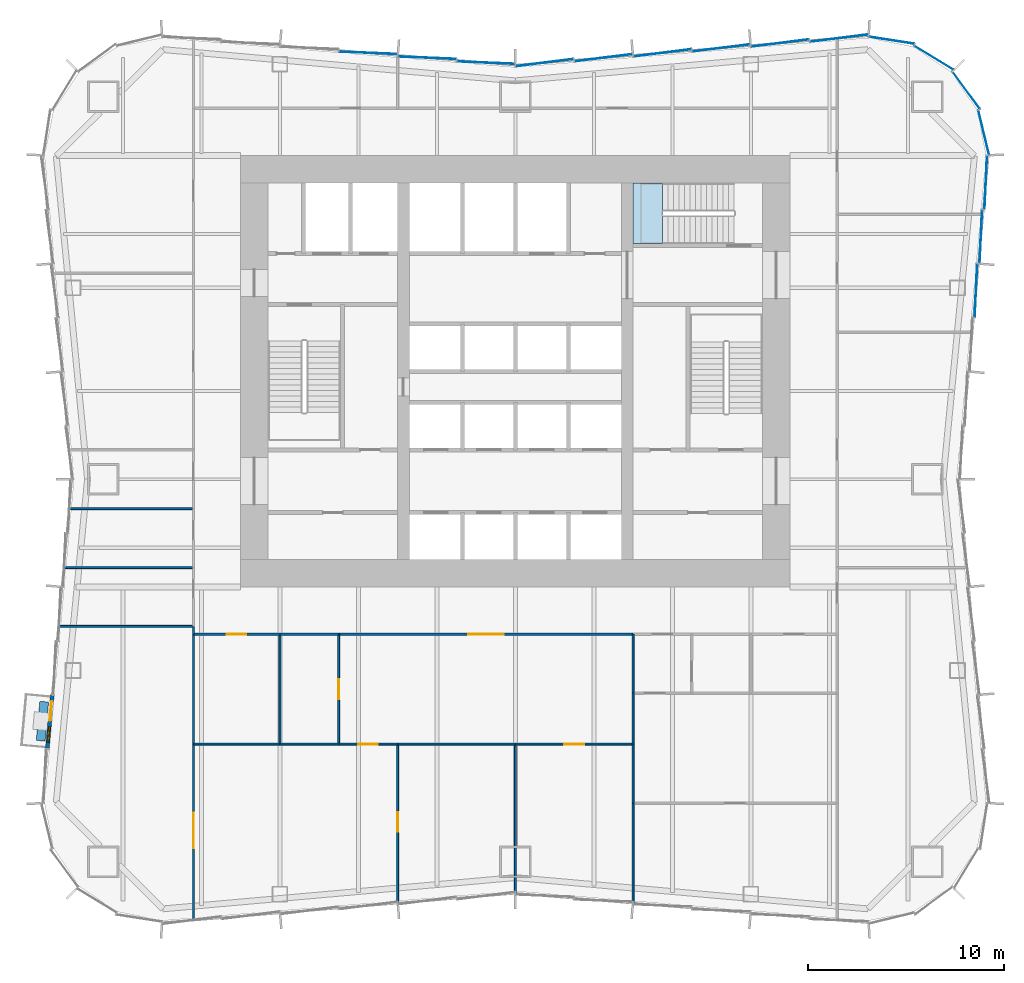
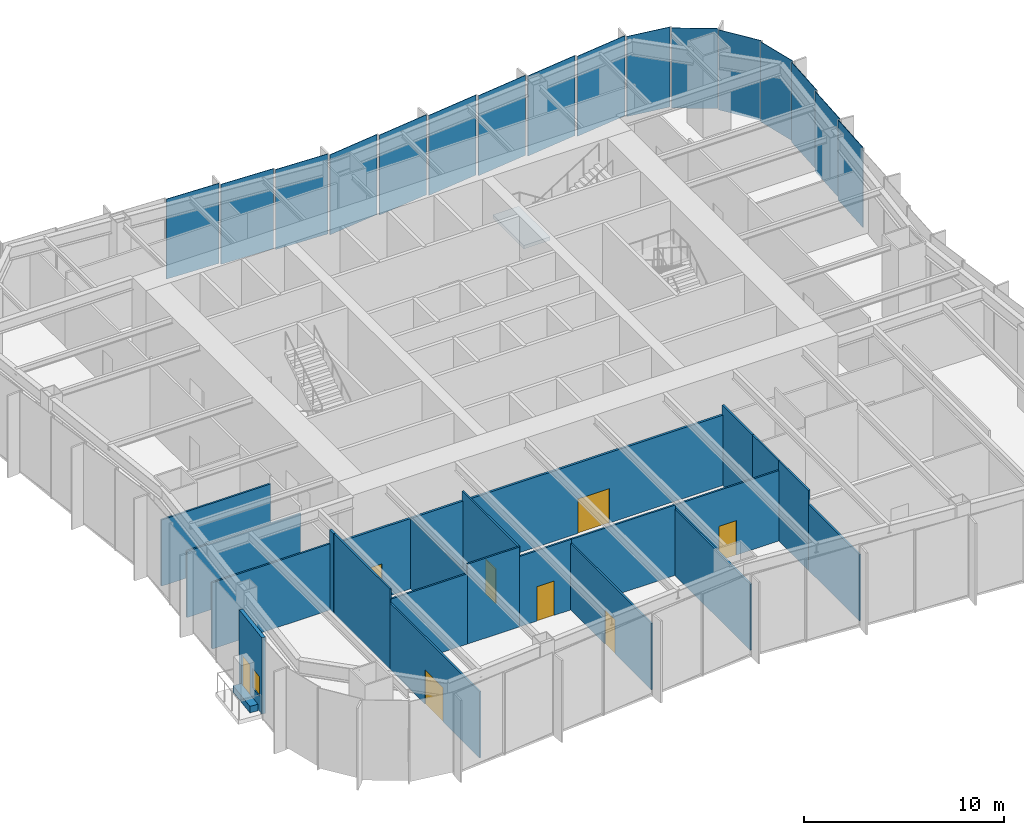
# One storey, part 9 of 14: 24 walls, 16 plates, 8 doors, 1 slab, 1 window, 9 openings, 4 elements without a shape of their own.
"""IFC4 building model written with IfcOpenShell, lengths in metres."""

from ifc_helpers import new_model, si_unit, direction, frame, frame_2d, origin, origin_2d, place, context, subcontext, project, spatial, polyline, rectangle, outline, extrude, material, layer, layer_set, type_object, element, fill, aggregate, save


model = new_model("IFC4")

# Units and contexts
model_context = context("Model", 3, precision=1e-05, world=origin(), true_north=direction((0.0, 1.0)))
body_context = subcontext(model_context, "Body", "Model", "MODEL_VIEW")
ifc_project = project(units=[si_unit("LENGTHUNIT", "METRE"), si_unit("AREAUNIT", "SQUARE_METRE"), si_unit("VOLUMEUNIT", "CUBIC_METRE"), si_unit("PLANEANGLEUNIT", "RADIAN"), si_unit("MASSUNIT", "GRAM", prefix="KILO")], contexts=[model_context])

# Site, building, storey
site_placement = place(None, origin())
site = spatial("IfcSite", under=ifc_project, at=site_placement, CompositionType="ELEMENT")
building_placement = place(site_placement, origin())
building = spatial("IfcBuilding", under=site, at=building_placement, Name="Verdant Reach Tower", CompositionType="ELEMENT")
storey_placement = place(building_placement, frame((0.0, 0.0, 9.0)))
storey = spatial("IfcBuildingStorey", under=building, at=storey_placement, Name="L01", CompositionType="ELEMENT", Elevation=9.0)

# Stair, slab
ifc_material_1 = material(Name="Concrete C40/50", Category="concrete")
stair_type = type_object("IfcStairType", Name="CO-STAIR", PredefinedType="HALF_TURN_STAIR", material=ifc_material_1)
stair_placement = place(storey_placement, origin())
stair = element("IfcStair", 1, at=stair_placement, inside=storey, type_object=stair_type, Name="L01 Exit stair 3", PredefinedType="HALF_TURN_STAIR")
ifc_layer_1 = layer(ifc_material_1, 0.199951171875)
ifc_layer_set_1 = layer_set([ifc_layer_1], Name="CO-STAIR-LANDING")
slab_type = type_object("IfcSlabType", Name="CO-STAIR-LANDING", PredefinedType="LANDING", material=ifc_layer_set_1)
slab_placement = place(storey_placement, frame((0.0, 0.0, 2.300048828125)))
slab = element("IfcSlab", 2, at=slab_placement, type_object=slab_type, Name="ST-3 landing 1", PredefinedType="LANDING", context=body_context, shape_type="SweptSolid", body=[
    extrude(outline(polyline([(7.510009765625, 37.60009765625), (6.0, 37.60009765625), (6.0, 34.5), (7.510009765625, 34.5), (7.510009765625, 37.60009765625)])), origin(), (0.0, 0.0, 1.0), 0.199951171875),
])
aggregate(stair, [slab])

# Curtain wall, plates
ifc_material_2 = material(Name="Anodised aluminium", Category="aluminium")
curtain_wall_type = type_object("IfcCurtainWallType", Name="EN-CW SYSTEM Z0", PredefinedType="NOTDEFINED", material=ifc_material_2)
curtain_wall_1_placement = place(storey_placement, origin())
curtain_wall_1 = element("IfcCurtainWall", 3, at=curtain_wall_1_placement, inside=storey, type_object=curtain_wall_type, Name="Curtain wall east, L01", PredefinedType="NOTDEFINED")
ifc_material_3 = material(Name="Tinted glass with champagne spandrel", Category="glass")
ifc_layer_2 = layer(ifc_material_3, 0.031982421875)
ifc_layer_set_2 = layer_set([ifc_layer_2], Name="EN-PANEL CHAMPAGNE")
plate_type_1 = type_object("IfcPlateType", Name="EN-PANEL CHAMPAGNE", PredefinedType="CURTAIN_PANEL", material=ifc_layer_set_2)
plate_1_placement = place(storey_placement, frame((23.474609375, 32.115966796875, -0.22998046875), z_axis=(0.0, 0.0, 1.0), x_axis=(0.04875265175, 0.998810882473, 0.0)))
plate_1 = element("IfcPlate", 4, at=plate_1_placement, type_object=plate_type_1, Name="Glass panel east face part 2 4.1, L01", PredefinedType="CURTAIN_PANEL", context=body_context, shape_type="SweptSolid", body=[
    extrude(rectangle(XDim=2.705322265625, YDim=0.031982421875, at=origin_2d()), origin(), (0.0, 0.0, 1.0), 4.8798828125),
])
plate_2_placement = place(storey_placement, frame((23.724609375, 34.865966796875, -0.22998046875), z_axis=(0.0, 0.0, 1.0), x_axis=(0.04875265175, 0.998810882473, 0.0)))
plate_2 = element("IfcPlate", 5, at=plate_2_placement, type_object=plate_type_1, Name="Glass panel east face part 2 5.1, L01", PredefinedType="CURTAIN_PANEL", context=body_context, shape_type="SweptSolid", body=[
    extrude(rectangle(XDim=2.705322265625, YDim=0.031982421875, at=origin_2d()), origin(), (0.0, 0.0, 1.0), 4.8798828125),
])

curtain_wall_2_placement = place(storey_placement, origin())
curtain_wall_2 = element("IfcCurtainWall", 6, at=curtain_wall_2_placement, inside=storey, type_object=curtain_wall_type, Name="Curtain wall north-east corner, L01", PredefinedType="NOTDEFINED")
plate_3_placement = place(storey_placement, frame((22.974609375, 42.32373046875, -0.22998046875), z_axis=(0.0, 0.0, 1.0), x_axis=(-0.589926778461, 0.807456745624, 0.0)))
plate_3 = element("IfcPlate", 7, at=plate_3_placement, type_object=plate_type_1, Name="Glass panel north-east corner 2.1, L01", PredefinedType="CURTAIN_PANEL", context=body_context, shape_type="SweptSolid", body=[
    extrude(rectangle(XDim=2.32421875, YDim=0.031982421875, at=origin_2d()), origin(), (0.0, 0.0, 1.0), 4.8798828125),
])
plate_4_placement = place(storey_placement, frame((21.32373046875, 43.974609375, -0.22998046875), z_axis=(0.0, 0.0, 1.0), x_axis=(-0.853988681713, 0.520291583159, 0.0)))
plate_4 = element("IfcPlate", 8, at=plate_4_placement, type_object=plate_type_1, Name="Glass panel north-east corner 3.1, L01", PredefinedType="CURTAIN_PANEL", context=body_context, shape_type="SweptSolid", body=[
    extrude(rectangle(XDim=2.32421875, YDim=0.031982421875, at=origin_2d()), origin(), (0.0, 0.0, 1.0), 4.8798828125),
])

curtain_wall_3_placement = place(storey_placement, origin())
curtain_wall_3 = element("IfcCurtainWall", 9, at=curtain_wall_3_placement, inside=storey, type_object=curtain_wall_type, Name="Curtain wall north, L01", PredefinedType="NOTDEFINED")
plate_5_placement = place(storey_placement, frame((16.498779296875, 44.974853515625, -0.22998046875), z_axis=(0.0, 0.0, 1.0), x_axis=(-0.992234176789, -0.124383835008, 0.0)))
plate_5 = element("IfcPlate", 10, at=plate_5_placement, type_object=plate_type_1, Name="Glass panel north face part 1 1.1, L01", PredefinedType="CURTAIN_PANEL", context=body_context, shape_type="SweptSolid", body=[
    extrude(rectangle(XDim=2.96826171875, YDim=0.031982421875, at=origin_2d()), origin(), (0.0, 0.0, 1.0), 4.8798828125),
])
plate_6_placement = place(storey_placement, frame((13.49169921875, 44.724609375, -0.22998046875), z_axis=(0.0, 0.0, 1.0), x_axis=(-0.992194034542, -0.124703639961, 0.0)))
plate_6 = element("IfcPlate", 11, at=plate_6_placement, type_object=plate_type_1, Name="Glass panel north face part 1 2.1, L01", PredefinedType="CURTAIN_PANEL", context=body_context, shape_type="SweptSolid", body=[
    extrude(rectangle(XDim=2.954345703125, YDim=0.031982421875, at=origin_2d()), origin(), (0.0, 0.0, 1.0), 4.8798828125),
])
plate_7_placement = place(storey_placement, frame((-4.49169921875, 43.974609375, -0.22998046875), z_axis=(0.0, 0.0, 1.0), x_axis=(-0.999149202059, 0.041241629766, 0.0)))
plate_7 = element("IfcPlate", 12, at=plate_7_placement, type_object=plate_type_1, Name="Glass panel north face part 2 2.1, L01", PredefinedType="CURTAIN_PANEL", context=body_context, shape_type="SweptSolid", body=[
    extrude(rectangle(XDim=2.954345703125, YDim=0.031982421875, at=origin_2d()), origin(), (0.0, 0.0, 1.0), 4.8798828125),
])
plate_8_placement = place(storey_placement, frame((-7.49169921875, 44.224609375, -0.22998046875), z_axis=(0.0, 0.0, 1.0), x_axis=(-0.999149202059, 0.041241629766, 0.0)))
plate_8 = element("IfcPlate", 13, at=plate_8_placement, type_object=plate_type_1, Name="Glass panel north face part 2 3.1, L01", PredefinedType="CURTAIN_PANEL", context=body_context, shape_type="SweptSolid", body=[
    extrude(rectangle(XDim=2.954345703125, YDim=0.031982421875, at=origin_2d()), origin(), (0.0, 0.0, 1.0), 4.8798828125),
])

# Plate
ifc_material_4 = material(Name="Tinted glass with copper spandrel", Category="glass")
ifc_layer_3 = layer(ifc_material_4, 0.031982421875)
ifc_layer_set_3 = layer_set([ifc_layer_3], Name="EN-PANEL COPPER")
plate_type_2 = type_object("IfcPlateType", Name="EN-PANEL COPPER", PredefinedType="CURTAIN_PANEL", material=ifc_layer_set_3)
plate_9_placement = place(storey_placement, frame((23.974609375, 37.623046875, -0.22998046875), z_axis=(0.0, 0.0, 1.0), x_axis=(0.048382779248, 0.998828867561, 0.0)))
plate_9 = element("IfcPlate", 14, at=plate_9_placement, type_object=plate_type_2, Name="Glass panel east face part 2 6.1, L01", PredefinedType="CURTAIN_PANEL", context=body_context, shape_type="SweptSolid", body=[
    extrude(rectangle(XDim=2.7197265625, YDim=0.031982421875, at=origin_2d()), origin(), (0.0, 0.0, 1.0), 4.8798828125),
])

aggregate(curtain_wall_1, [plate_1, plate_2, plate_9])

plate_10_placement = place(storey_placement, frame((19.169921875, 44.86767578125, -0.22998046875), z_axis=(0.0, 0.0, 1.0), x_axis=(-0.98803452381, 0.154232875093, 0.0)))
plate_10 = element("IfcPlate", 15, at=plate_10_placement, type_object=plate_type_2, Name="Glass panel north-east corner 4.1, L01", PredefinedType="CURTAIN_PANEL", context=body_context, shape_type="SweptSolid", body=[
    extrude(rectangle(XDim=2.318603515625, YDim=0.031982421875, at=origin_2d()), origin(), (0.0, 0.0, 1.0), 4.8798828125),
])

plate_11_placement = place(storey_placement, frame((10.49169921875, 44.474609375, -0.22998046875), z_axis=(0.0, 0.0, 1.0), x_axis=(-0.992194034542, -0.124703639961, 0.0)))
plate_11 = element("IfcPlate", 16, at=plate_11_placement, type_object=plate_type_2, Name="Glass panel north face part 1 3.1, L01", PredefinedType="CURTAIN_PANEL", context=body_context, shape_type="SweptSolid", body=[
    extrude(rectangle(XDim=2.954345703125, YDim=0.031982421875, at=origin_2d()), origin(), (0.0, 0.0, 1.0), 4.8798828125),
])

plate_12_placement = place(storey_placement, frame((7.49169921875, 44.224609375, -0.22998046875), z_axis=(0.0, 0.0, 1.0), x_axis=(-0.992194034542, -0.124703639961, 0.0)))
plate_12 = element("IfcPlate", 17, at=plate_12_placement, type_object=plate_type_2, Name="Glass panel north face part 1 4.1, L01", PredefinedType="CURTAIN_PANEL", context=body_context, shape_type="SweptSolid", body=[
    extrude(rectangle(XDim=2.954345703125, YDim=0.031982421875, at=origin_2d()), origin(), (0.0, 0.0, 1.0), 4.8798828125),
])

ifc_material_5 = material(Name="Tinted glass with dark bronze spandrel", Category="glass")
ifc_layer_4 = layer(ifc_material_5, 0.031982421875)
ifc_layer_set_4 = layer_set([ifc_layer_4], Name="EN-PANEL DARK")
plate_type_3 = type_object("IfcPlateType", Name="EN-PANEL DARK", PredefinedType="CURTAIN_PANEL", material=ifc_layer_set_4)
plate_13_placement = place(storey_placement, frame((23.86767578125, 40.169921875, -0.22998046875), z_axis=(0.0, 0.0, 1.0), x_axis=(-0.236346786246, 0.97166876899, 0.0)))
plate_13 = element("IfcPlate", 18, at=plate_13_placement, type_object=plate_type_3, Name="Glass panel north-east corner 1.1, L01", PredefinedType="CURTAIN_PANEL", context=body_context, shape_type="SweptSolid", body=[
    extrude(rectangle(XDim=2.31884765625, YDim=0.031982421875, at=origin_2d()), origin(), (0.0, 0.0, 1.0), 4.8798828125),
])

aggregate(curtain_wall_2, [plate_13, plate_3, plate_4, plate_10])

plate_14_placement = place(storey_placement, frame((4.49169921875, 43.974609375, -0.22998046875), z_axis=(0.0, 0.0, 1.0), x_axis=(-0.992194034542, -0.124703639961, 0.0)))
plate_14 = element("IfcPlate", 19, at=plate_14_placement, type_object=plate_type_3, Name="Glass panel north face part 1 5.1, L01", PredefinedType="CURTAIN_PANEL", context=body_context, shape_type="SweptSolid", body=[
    extrude(rectangle(XDim=2.954345703125, YDim=0.031982421875, at=origin_2d()), origin(), (0.0, 0.0, 1.0), 4.8798828125),
])

plate_15_placement = place(storey_placement, frame((1.495849609375, 43.724853515625, -0.22998046875), z_axis=(0.0, 0.0, 1.0), x_axis=(-0.992179679439, -0.124817802047, 0.0)))
plate_15 = element("IfcPlate", 20, at=plate_15_placement, type_object=plate_type_3, Name="Glass panel north face part 1 6.1, L01", PredefinedType="CURTAIN_PANEL", context=body_context, shape_type="SweptSolid", body=[
    extrude(rectangle(XDim=2.946044921875, YDim=0.031982421875, at=origin_2d()), origin(), (0.0, 0.0, 1.0), 4.8798828125),
])

plate_16_placement = place(storey_placement, frame((-1.495849609375, 43.724853515625, -0.22998046875), z_axis=(0.0, 0.0, 1.0), x_axis=(-0.999144450138, 0.041356592674, 0.0)))
plate_16 = element("IfcPlate", 21, at=plate_16_placement, type_object=plate_type_3, Name="Glass panel north face part 2 1.1, L01", PredefinedType="CURTAIN_PANEL", context=body_context, shape_type="SweptSolid", body=[
    extrude(rectangle(XDim=2.946044921875, YDim=0.031982421875, at=origin_2d()), origin(), (0.0, 0.0, 1.0), 4.8798828125),
])

aggregate(curtain_wall_3, [plate_5, plate_6, plate_11, plate_12, plate_14, plate_15, plate_16, plate_7, plate_8])

# Wall, openings, door, window
ifc_material_6 = material(Name="Insulated bronze aluminium panel wall", Category="aluminium")
ifc_layer_5 = layer(ifc_material_6, 0.219970703125)
ifc_layer_set_5 = layer_set([ifc_layer_5], Name="EN-INFILL WALL")
wall_type_1 = type_object("IfcWallType", Name="EN-INFILL WALL", PredefinedType="SOLIDWALL", material=ifc_layer_set_5)
wall_1_placement = place(storey_placement, frame((-23.602294921875, 11.479248046875, 0.0), z_axis=(0.0, 0.0, 1.0), x_axis=(-0.090552042494, -0.995891724838, 0.0)))
wall_1 = element("IfcWall", 22, at=wall_1_placement, inside=storey, type_object=wall_type_1, Name="External infill wall, balcony bay 1, L01", PredefinedType="SOLIDWALL", context=body_context, shape_type="SweptSolid", body=[
    extrude(rectangle(XDim=2.701416015625, YDim=0.199951171875, at=frame_2d((1.3505859375, 0.0))), origin(), (0.0, 0.0, 1.0), 4.64990234375),
])
opening_1_placement = place(wall_1_placement, frame((0.30029296875, 0.0, 0.0)))
opening_1 = element("IfcOpeningElement", 23, at=opening_1_placement, cuts=wall_1, Name="Opening BD1", PredefinedType="OPENING", context=body_context, shape_type="SweptSolid", body=[
    extrude(rectangle(XDim=1.0, YDim=2.10009765625, at=frame_2d((0.5, 1.050048828125))), frame((0.0, 0.10986328125, 0.0), z_axis=(0.0, -1.0, 0.0), x_axis=(1.0, 0.0, 0.0)), (0.0, 0.0, 1.0), 0.219970703125),
])
opening_2_placement = place(wall_1_placement, frame((1.600830078125, 0.0, 0.89990234375)))
opening_2 = element("IfcOpeningElement", 24, at=opening_2_placement, cuts=wall_1, Name="Opening BW1", PredefinedType="OPENING", context=body_context, shape_type="SweptSolid", body=[
    extrude(rectangle(XDim=0.800048828125, YDim=1.199951171875, at=frame_2d((0.39990234375, 0.60009765625))), frame((0.0, 0.10986328125, 0.0), z_axis=(0.0, -1.0, 0.0), x_axis=(1.0, 0.0, 0.0)), (0.0, 0.0, 1.0), 0.219970703125),
])
ifc_material_7 = material(Name="Aluminium framed glazed door", Category="aluminium")
door_type_1 = type_object("IfcDoorType", Name="EN-DOOR BALCONY", OperationType="NOTDEFINED", PredefinedType="DOOR", material=ifc_material_7)
door_1_placement = place(opening_1_placement, origin())
door_1 = element("IfcDoor", 25, at=door_1_placement, inside=storey, type_object=door_type_1, Name="Balcony door 1, L01", OperationType="SINGLE_SWING_LEFT", OverallHeight=2.10009765625, OverallWidth=1.0, PredefinedType="DOOR", context=body_context, shape_type="SweptSolid", body=[
    extrude(rectangle(XDim=1.0, YDim=2.10009765625, at=frame_2d((0.5, 1.050048828125))), frame((0.0, 0.02490234375, 0.0), z_axis=(0.0, -1.0, 0.0), x_axis=(1.0, 0.0, 0.0)), (0.0, 0.0, 1.0), 0.050048828125),
])
fill(opening_1, door_1)
ifc_material_8 = material(Name="Aluminium framed glazing", Category="aluminium")
window_type = type_object("IfcWindowType", Name="EN-WINDOW BALCONY", PartitioningType="SINGLE_PANEL", PredefinedType="WINDOW", material=ifc_material_8)
window_placement = place(opening_2_placement, origin())
window = element("IfcWindow", 26, at=window_placement, inside=storey, type_object=window_type, Name="Balcony window 1, L01", OverallHeight=1.199951171875, OverallWidth=0.800048828125, PartitioningType="SINGLE_PANEL", PredefinedType="WINDOW", context=body_context, shape_type="SweptSolid", body=[
    extrude(rectangle(XDim=0.800048828125, YDim=1.199951171875, at=frame_2d((0.39990234375, 0.60009765625))), frame((0.0, 0.030029296875, 0.0), z_axis=(0.0, -1.0, 0.0), x_axis=(1.0, 0.0, 0.0)), (0.0, 0.0, 1.0), 0.06005859375),
])
fill(opening_2, window)

# Walls
ifc_material_9 = material(Name="Precast concrete C30/37", Category="concrete")
ifc_layer_6 = layer(ifc_material_9, 0.449951171875)
ifc_layer_set_6 = layer_set([ifc_layer_6], Name="EN-PLANTER")
wall_type_2 = type_object("IfcWallType", Name="EN-PLANTER", PredefinedType="USERDEFINED", material=ifc_layer_set_6)
wall_2_placement = place(storey_placement, frame((-24.007568359375, 11.16455078125, 0.0), z_axis=(0.0, 0.0, 1.0), x_axis=(-0.090513748512, -0.995895205998, 0.0)))
element("IfcWall", 27, at=wall_2_placement, inside=storey, type_object=wall_type_2, Name="Balcony planter 1, L01", ObjectType="PLANTER", PredefinedType="USERDEFINED", context=body_context, shape_type="SweptSolid", body=[
    extrude(rectangle(XDim=2.00146484375, YDim=0.449951171875, at=frame_2d((1.000732421875, 0.0))), origin(), (0.0, 0.0, 1.0), 0.39990234375),
])
ifc_material_10 = material(Name="Gypsum board on steel studs", Category="steel")
ifc_layer_7 = layer(ifc_material_10, 0.10009765625)
ifc_layer_set_7 = layer_set([ifc_layer_7], Name="FL-W1 Partition 100")
wall_type_3 = type_object("IfcWallType", Name="FL-W1 Partition 100", PredefinedType="PARTITIONING", material=ifc_layer_set_7)
wall_3_placement = place(storey_placement, frame((-12.0, 9.0, 0.0), z_axis=(0.0, 0.0, 1.0), x_axis=(0.0, 1.0, 0.0)))
element("IfcWall", 28, at=wall_3_placement, inside=storey, type_object=wall_type_3, Name="Partition 01.19", PredefinedType="PARTITIONING", context=body_context, shape_type="SweptSolid", body=[
    extrude(rectangle(XDim=5.60009765625, YDim=0.10009765625, at=frame_2d((2.800048828125, 0.0))), origin(), (0.0, 0.0, 1.0), 4.2900390625),
])
wall_4_placement = place(storey_placement, frame((-16.39990234375, 9.0, 0.0), z_axis=(0.0, 0.0, 1.0), x_axis=(1.0, 0.0, 0.0)))
element("IfcWall", 29, at=wall_4_placement, inside=storey, type_object=wall_type_3, Name="Partition 01.20", PredefinedType="PARTITIONING", context=body_context, shape_type="SweptSolid", body=[
    extrude(rectangle(XDim=4.40380859375, YDim=0.10009765625, at=frame_2d((2.201904296875, 0.0))), origin(), (0.0, 0.0, 1.0), 4.2900390625),
])
wall_5_placement = place(storey_placement, frame((-16.39990234375, 14.60400390625, 0.0), z_axis=(0.0, 0.0, 1.0), x_axis=(0.0, -1.0, 0.0)))
element("IfcWall", 30, at=wall_5_placement, inside=storey, type_object=wall_type_3, Name="Partition 01.21", PredefinedType="PARTITIONING", context=body_context, shape_type="SweptSolid", body=[
    extrude(rectangle(XDim=5.60791015625, YDim=0.10009765625, at=frame_2d((2.803955078125, 0.0))), origin(), (0.0, 0.0, 1.0), 4.8701171875),
])

# Wall, opening, door
wall_6_placement = place(storey_placement, frame((-9.0, 9.0, 0.0), z_axis=(0.0, 0.0, 1.0), x_axis=(0.0, 1.0, 0.0)))
wall_6 = element("IfcWall", 31, at=wall_6_placement, inside=storey, type_object=wall_type_3, Name="Partition 01.22", PredefinedType="PARTITIONING", context=body_context, shape_type="SweptSolid", body=[
    extrude(rectangle(XDim=5.60009765625, YDim=0.10009765625, at=frame_2d((2.800048828125, 0.0))), origin(), (0.0, 0.0, 1.0), 4.8701171875),
])
opening_3_placement = place(wall_6_placement, frame((2.300048828125, 0.0, 0.0)))
opening_3 = element("IfcOpeningElement", 32, at=opening_3_placement, cuts=wall_6, Name="Opening D3", PredefinedType="OPENING", context=body_context, shape_type="SweptSolid", body=[
    extrude(rectangle(XDim=1.0, YDim=2.10009765625, at=frame_2d((0.5, 1.050048828125))), frame((0.0, 0.06005859375, 0.0), z_axis=(0.0, -1.0, 0.0), x_axis=(1.0, 0.0, 0.0)), (0.0, 0.0, 1.0), 0.1201171875),
])
ifc_material_11 = material(Name="Painted timber door leaf", Category="wood")
door_type_2 = type_object("IfcDoorType", Name="FL-D3 Door 1000x2100", OperationType="NOTDEFINED", PredefinedType="DOOR", material=ifc_material_11)
door_2_placement = place(opening_3_placement, origin())
door_2 = element("IfcDoor", 33, at=door_2_placement, inside=storey, type_object=door_type_2, Name="Door 01-016", OperationType="SINGLE_SWING_RIGHT", OverallHeight=2.10009765625, OverallWidth=1.0, PredefinedType="DOOR", context=body_context, shape_type="SweptSolid", body=[
    extrude(rectangle(XDim=1.0, YDim=2.10009765625, at=frame_2d((0.5, 1.050048828125))), frame((0.0, 0.02490234375, 0.0), z_axis=(0.0, -1.0, 0.0), x_axis=(1.0, 0.0, 0.0)), (0.0, 0.0, 1.0), 0.050048828125),
])
fill(opening_3, door_2)

# Wall
wall_7_placement = place(storey_placement, frame((-12.00390625, 9.0, 0.0), z_axis=(0.0, 0.0, 1.0), x_axis=(1.0, 0.0, 0.0)))
element("IfcWall", 34, at=wall_7_placement, inside=storey, type_object=wall_type_3, Name="Partition 01.23", PredefinedType="PARTITIONING", context=body_context, shape_type="SweptSolid", body=[
    extrude(rectangle(XDim=3.0078125, YDim=0.10009765625, at=frame_2d((1.50390625, 0.0))), origin(), (0.0, 0.0, 1.0), 4.8701171875),
])

# Wall, opening, door
wall_8_placement = place(storey_placement, frame((-6.0, 9.0, 0.0), z_axis=(0.0, 0.0, 1.0), x_axis=(-1.0, 0.0, 0.0)))
wall_8 = element("IfcWall", 35, at=wall_8_placement, inside=storey, type_object=wall_type_3, Name="Partition 01.24", PredefinedType="PARTITIONING", context=body_context, shape_type="SweptSolid", body=[
    extrude(rectangle(XDim=3.00390625, YDim=0.10009765625, at=frame_2d((1.501953125, 0.0))), origin(), (0.0, 0.0, 1.0), 4.2900390625),
])
opening_4_placement = place(wall_8_placement, frame((1.001953125, 0.0, 0.0)))
opening_4 = element("IfcOpeningElement", 36, at=opening_4_placement, cuts=wall_8, Name="Opening D3", PredefinedType="OPENING", context=body_context, shape_type="SweptSolid", body=[
    extrude(rectangle(XDim=1.0, YDim=2.10009765625, at=frame_2d((0.5, 1.050048828125))), frame((0.0, 0.06005859375, 0.0), z_axis=(0.0, -1.0, 0.0), x_axis=(1.0, 0.0, 0.0)), (0.0, 0.0, 1.0), 0.1201171875),
])
door_3_placement = place(opening_4_placement, origin())
door_3 = element("IfcDoor", 37, at=door_3_placement, inside=storey, type_object=door_type_2, Name="Door 01-017", OperationType="SINGLE_SWING_LEFT", OverallHeight=2.10009765625, OverallWidth=1.0, PredefinedType="DOOR", context=body_context, shape_type="SweptSolid", body=[
    extrude(rectangle(XDim=1.0, YDim=2.10009765625, at=frame_2d((0.5, 1.050048828125))), frame((0.0, 0.02490234375, 0.0), z_axis=(0.0, -1.0, 0.0), x_axis=(1.0, 0.0, 0.0)), (0.0, 0.0, 1.0), 0.050048828125),
])
fill(opening_4, door_3)

# Wall
wall_9_placement = place(storey_placement, frame((-6.0, 9.0, 0.0), z_axis=(0.0, 0.0, 1.0), x_axis=(1.0, 0.0, 0.0)))
element("IfcWall", 38, at=wall_9_placement, inside=storey, type_object=wall_type_3, Name="Partition 01.25", PredefinedType="PARTITIONING", context=body_context, shape_type="SweptSolid", body=[
    extrude(rectangle(XDim=6.0, YDim=0.10009765625, at=frame_2d((3.0, 0.0))), origin(), (0.0, 0.0, 1.0), 4.2900390625),
])

# Wall, opening, door
wall_10_placement = place(storey_placement, frame((6.0, 9.0, 0.0), z_axis=(0.0, 0.0, 1.0), x_axis=(-1.0, 0.0, 0.0)))
wall_10 = element("IfcWall", 39, at=wall_10_placement, inside=storey, type_object=wall_type_3, Name="Partition 01.26", PredefinedType="PARTITIONING", context=body_context, shape_type="SweptSolid", body=[
    extrude(rectangle(XDim=6.0, YDim=0.10009765625, at=frame_2d((3.0, 0.0))), origin(), (0.0, 0.0, 1.0), 4.2900390625),
])
opening_5_placement = place(wall_10_placement, frame((2.5, 0.0, 0.0)))
opening_5 = element("IfcOpeningElement", 40, at=opening_5_placement, cuts=wall_10, Name="Opening D3", PredefinedType="OPENING", context=body_context, shape_type="SweptSolid", body=[
    extrude(rectangle(XDim=1.0, YDim=2.10009765625, at=frame_2d((0.5, 1.050048828125))), frame((0.0, 0.06005859375, 0.0), z_axis=(0.0, -1.0, 0.0), x_axis=(1.0, 0.0, 0.0)), (0.0, 0.0, 1.0), 0.1201171875),
])
door_4_placement = place(opening_5_placement, origin())
door_4 = element("IfcDoor", 41, at=door_4_placement, inside=storey, type_object=door_type_2, Name="Door 01-018", OperationType="SINGLE_SWING_RIGHT", OverallHeight=2.10009765625, OverallWidth=1.0, PredefinedType="DOOR", context=body_context, shape_type="SweptSolid", body=[
    extrude(rectangle(XDim=1.0, YDim=2.10009765625, at=frame_2d((0.5, 1.050048828125))), frame((0.0, 0.02490234375, 0.0), z_axis=(0.0, -1.0, 0.0), x_axis=(1.0, 0.0, 0.0)), (0.0, 0.0, 1.0), 0.050048828125),
])
fill(opening_5, door_4)

# Walls
wall_11_placement = place(storey_placement, frame((6.0, 11.60009765625, 0.0), z_axis=(0.0, 0.0, 1.0), x_axis=(0.0, 1.0, 0.0)))
element("IfcWall", 42, at=wall_11_placement, inside=storey, type_object=wall_type_3, Name="Partition 01.27", PredefinedType="PARTITIONING", context=body_context, shape_type="SweptSolid", body=[
    extrude(rectangle(XDim=3.0, YDim=0.10009765625, at=frame_2d((1.5, 0.0))), origin(), (0.0, 0.0, 1.0), 4.8701171875),
])
wall_12_placement = place(storey_placement, frame((6.0, 8.99609375, 0.0), z_axis=(0.0, 0.0, 1.0), x_axis=(0.0, 1.0, 0.0)))
element("IfcWall", 43, at=wall_12_placement, inside=storey, type_object=wall_type_3, Name="Partition 01.28", PredefinedType="PARTITIONING", context=body_context, shape_type="SweptSolid", body=[
    extrude(rectangle(XDim=2.60400390625, YDim=0.10009765625, at=frame_2d((1.302001953125, 0.0))), origin(), (0.0, 0.0, 1.0), 4.8701171875),
])

# Wall, opening, door
wall_13_placement = place(storey_placement, frame((-6.0, 9.0, 0.0), z_axis=(0.0, 0.0, 1.0), x_axis=(0.0, -1.0, 0.0)))
wall_13 = element("IfcWall", 44, at=wall_13_placement, inside=storey, type_object=wall_type_3, Name="Partition 01.29", PredefinedType="PARTITIONING", context=body_context, shape_type="SweptSolid", body=[
    extrude(rectangle(XDim=8.080078125, YDim=0.10009765625, at=frame_2d((4.0400390625, 0.0))), origin(), (0.0, 0.0, 1.0), 4.0400390625),
])
opening_6_placement = place(wall_13_placement, frame((3.474853515625, 0.0, 0.0)))
opening_6 = element("IfcOpeningElement", 45, at=opening_6_placement, cuts=wall_13, Name="Opening D3", PredefinedType="OPENING", context=body_context, shape_type="SweptSolid", body=[
    extrude(rectangle(XDim=1.0, YDim=2.10009765625, at=frame_2d((0.5, 1.050048828125))), frame((0.0, 0.06005859375, 0.0), z_axis=(0.0, -1.0, 0.0), x_axis=(1.0, 0.0, 0.0)), (0.0, 0.0, 1.0), 0.1201171875),
])
door_5_placement = place(opening_6_placement, origin())
door_5 = element("IfcDoor", 46, at=door_5_placement, inside=storey, type_object=door_type_2, Name="Door 01-019", OperationType="SINGLE_SWING_LEFT", OverallHeight=2.10009765625, OverallWidth=1.0, PredefinedType="DOOR", context=body_context, shape_type="SweptSolid", body=[
    extrude(rectangle(XDim=1.0, YDim=2.10009765625, at=frame_2d((0.5, 1.050048828125))), frame((0.0, 0.02490234375, 0.0), z_axis=(0.0, -1.0, 0.0), x_axis=(1.0, 0.0, 0.0)), (0.0, 0.0, 1.0), 0.050048828125),
])
fill(opening_6, door_5)

wall_14_placement = place(storey_placement, frame((-16.39990234375, 0.05322265625, 0.0), z_axis=(0.0, 0.0, 1.0), x_axis=(0.0, 1.0, 0.0)))
wall_14 = element("IfcWall", 47, at=wall_14_placement, inside=storey, type_object=wall_type_3, Name="Partition 01.30", PredefinedType="PARTITIONING", context=body_context, shape_type="SweptSolid", body=[
    extrude(rectangle(XDim=8.95068359375, YDim=0.10009765625, at=frame_2d((4.475341796875, 0.0))), origin(), (0.0, 0.0, 1.0), 4.0400390625),
])
opening_7_placement = place(wall_14_placement, frame((3.640380859375, 0.0, 0.0)))
opening_7 = element("IfcOpeningElement", 48, at=opening_7_placement, cuts=wall_14, Name="Opening D5", PredefinedType="OPENING", context=body_context, shape_type="SweptSolid", body=[
    extrude(rectangle(XDim=1.800048828125, YDim=2.10009765625, at=frame_2d((0.89990234375, 1.050048828125))), frame((0.0, 0.06005859375, 0.0), z_axis=(0.0, -1.0, 0.0), x_axis=(1.0, 0.0, 0.0)), (0.0, 0.0, 1.0), 0.1201171875),
])
ifc_material_12 = material(Name="Painted timber door leaves", Category="wood")
door_type_3 = type_object("IfcDoorType", Name="FL-D5 Double door 1800x2100", OperationType="DOUBLE_DOOR_SINGLE_SWING", PredefinedType="DOOR", material=ifc_material_12)
door_6_placement = place(opening_7_placement, origin())
door_6 = element("IfcDoor", 49, at=door_6_placement, inside=storey, type_object=door_type_3, Name="Door 01-020", OperationType="DOUBLE_DOOR_SINGLE_SWING", OverallHeight=2.10009765625, OverallWidth=1.800048828125, PredefinedType="DOOR", context=body_context, shape_type="SweptSolid", body=[
    extrude(rectangle(XDim=1.800048828125, YDim=2.10009765625, at=frame_2d((0.89990234375, 1.050048828125))), frame((0.0, 0.02490234375, 0.0), z_axis=(0.0, -1.0, 0.0), x_axis=(1.0, 0.0, 0.0)), (0.0, 0.0, 1.0), 0.050048828125),
])
fill(opening_7, door_6)

# Walls
wall_15_placement = place(storey_placement, frame((0.0, 1.419921875, 0.0), z_axis=(0.0, 0.0, 1.0), x_axis=(0.0, 1.0, 0.0)))
element("IfcWall", 50, at=wall_15_placement, inside=storey, type_object=wall_type_3, Name="Partition 01.31", PredefinedType="PARTITIONING", context=body_context, shape_type="SweptSolid", body=[
    extrude(rectangle(XDim=7.580078125, YDim=0.10009765625, at=frame_2d((3.7900390625, 0.0))), origin(), (0.0, 0.0, 1.0), 4.0400390625),
])
wall_16_placement = place(storey_placement, frame((6.0, 6.0, 0.0), z_axis=(0.0, 0.0, 1.0), x_axis=(0.0, 1.0, 0.0)))
element("IfcWall", 51, at=wall_16_placement, inside=storey, type_object=wall_type_3, Name="Partition 01.32", PredefinedType="PARTITIONING", context=body_context, shape_type="SweptSolid", body=[
    extrude(rectangle(XDim=3.00390625, YDim=0.10009765625, at=frame_2d((1.501953125, 0.0))), origin(), (0.0, 0.0, 1.0), 4.8701171875),
])
wall_17_placement = place(storey_placement, frame((6.0, 0.919921875, 0.0), z_axis=(0.0, 0.0, 1.0), x_axis=(0.0, 1.0, 0.0)))
element("IfcWall", 52, at=wall_17_placement, inside=storey, type_object=wall_type_3, Name="Partition 01.33", PredefinedType="PARTITIONING", context=body_context, shape_type="SweptSolid", body=[
    extrude(rectangle(XDim=5.080078125, YDim=0.10009765625, at=frame_2d((2.5400390625, 0.0))), origin(), (0.0, 0.0, 1.0), 4.0400390625),
])
wall_18_placement = place(storey_placement, frame((-16.39990234375, 15.0, 0.0), z_axis=(0.0, 0.0, 1.0), x_axis=(-1.0, 0.0, 0.0)))
element("IfcWall", 53, at=wall_18_placement, inside=storey, type_object=wall_type_3, Name="Partition 01.46", PredefinedType="PARTITIONING", context=body_context, shape_type="SweptSolid", body=[
    extrude(rectangle(XDim=6.86181640625, YDim=0.10009765625, at=frame_2d((3.430908203125, 0.0))), origin(), (0.0, 0.0, 1.0), 4.0400390625),
])
wall_19_placement = place(storey_placement, frame((-16.39990234375, 18.0, 0.0), z_axis=(0.0, 0.0, 1.0), x_axis=(-1.0, 0.0, 0.0)))
element("IfcWall", 54, at=wall_19_placement, inside=storey, type_object=wall_type_3, Name="Partition 01.47", PredefinedType="PARTITIONING", context=body_context, shape_type="SweptSolid", body=[
    extrude(rectangle(XDim=6.589111328125, YDim=0.10009765625, at=frame_2d((3.29443359375, 0.0))), origin(), (0.0, 0.0, 1.0), 4.0400390625),
])
wall_20_placement = place(storey_placement, frame((-16.39990234375, 21.0, 0.0), z_axis=(0.0, 0.0, 1.0), x_axis=(-1.0, 0.0, 0.0)))
element("IfcWall", 55, at=wall_20_placement, inside=storey, type_object=wall_type_3, Name="Partition 01.48", PredefinedType="PARTITIONING", context=body_context, shape_type="SweptSolid", body=[
    extrude(rectangle(XDim=6.31640625, YDim=0.10009765625, at=frame_2d((3.158203125, 0.0))), origin(), (0.0, 0.0, 1.0), 4.0400390625),
])

# Wall, opening, door
ifc_material_13 = material(Name="Gypsum board on steel studs, fire rated", Category="steel")
ifc_layer_8 = layer(ifc_material_13, 0.125)
ifc_layer_set_8 = layer_set([ifc_layer_8], Name="FL-W2 Corridor wall 125")
wall_type_4 = type_object("IfcWallType", Name="FL-W2 Corridor wall 125", PredefinedType="PARTITIONING", material=ifc_layer_set_8)
wall_21_placement = place(storey_placement, frame((-12.0, 14.60009765625, 0.0), z_axis=(0.0, 0.0, 1.0), x_axis=(-1.0, 0.0, 0.0)))
wall_21 = element("IfcWall", 56, at=wall_21_placement, inside=storey, type_object=wall_type_4, Name="Partition 01.01", PredefinedType="PARTITIONING", context=body_context, shape_type="SweptSolid", body=[
    extrude(rectangle(XDim=4.39990234375, YDim=0.125, at=frame_2d((2.199951171875, 0.0))), origin(), (0.0, 0.0, 1.0), 4.2900390625),
])
opening_8_placement = place(wall_21_placement, frame((1.699951171875, 0.0, 0.0)))
opening_8 = element("IfcOpeningElement", 57, at=opening_8_placement, cuts=wall_21, Name="Opening D2", PredefinedType="OPENING", context=body_context, shape_type="SweptSolid", body=[
    extrude(rectangle(XDim=1.0, YDim=2.10009765625, at=frame_2d((0.5, 1.050048828125))), frame((0.0, 0.072509765625, 0.0), z_axis=(0.0, -1.0, 0.0), x_axis=(1.0, 0.0, 0.0)), (0.0, 0.0, 1.0), 0.14501953125),
])
ifc_material_14 = material(Name="Timber door leaf, fire rated", Category="wood")
door_type_4 = type_object("IfcDoorType", Name="FL-D2 Entrance door 1000x2100 FD30", OperationType="NOTDEFINED", PredefinedType="DOOR", material=ifc_material_14)
door_7_placement = place(opening_8_placement, origin())
door_7 = element("IfcDoor", 58, at=door_7_placement, inside=storey, type_object=door_type_4, Name="Door 01-001", OperationType="SINGLE_SWING_LEFT", OverallHeight=2.10009765625, OverallWidth=1.0, PredefinedType="DOOR", context=body_context, shape_type="SweptSolid", body=[
    extrude(rectangle(XDim=1.0, YDim=2.10009765625, at=frame_2d((0.5, 1.050048828125))), frame((0.0, 0.02490234375, 0.0), z_axis=(0.0, -1.0, 0.0), x_axis=(1.0, 0.0, 0.0)), (0.0, 0.0, 1.0), 0.050048828125),
])
fill(opening_8, door_7)

# Wall
wall_22_placement = place(storey_placement, frame((-12.0, 14.60009765625, 0.0), z_axis=(0.0, 0.0, 1.0), x_axis=(1.0, 0.0, 0.0)))
element("IfcWall", 59, at=wall_22_placement, inside=storey, type_object=wall_type_4, Name="Partition 01.02", PredefinedType="PARTITIONING", context=body_context, shape_type="SweptSolid", body=[
    extrude(rectangle(XDim=3.0, YDim=0.125, at=frame_2d((1.5, 0.0))), origin(), (0.0, 0.0, 1.0), 4.2900390625),
])

# Wall, opening, door
wall_23_placement = place(storey_placement, frame((-9.0, 14.60009765625, 0.0), z_axis=(0.0, 0.0, 1.0), x_axis=(1.0, 0.0, 0.0)))
wall_23 = element("IfcWall", 60, at=wall_23_placement, inside=storey, type_object=wall_type_4, Name="Partition 01.03", PredefinedType="PARTITIONING", context=body_context, shape_type="SweptSolid", body=[
    extrude(rectangle(XDim=15.0, YDim=0.125, at=frame_2d((7.5, 0.0))), origin(), (0.0, 0.0, 1.0), 4.2900390625),
])
opening_9_placement = place(wall_23_placement, frame((6.60009765625, 0.0, 0.0)))
opening_9 = element("IfcOpeningElement", 61, at=opening_9_placement, cuts=wall_23, Name="Opening D4", PredefinedType="OPENING", context=body_context, shape_type="SweptSolid", body=[
    extrude(rectangle(XDim=1.800048828125, YDim=2.10009765625, at=frame_2d((0.89990234375, 1.050048828125))), frame((0.0, 0.072509765625, 0.0), z_axis=(0.0, -1.0, 0.0), x_axis=(1.0, 0.0, 0.0)), (0.0, 0.0, 1.0), 0.14501953125),
])
ifc_material_15 = material(Name="Timber door leaves, fire rated", Category="wood")
door_type_5 = type_object("IfcDoorType", Name="FL-D4 Double door 1800x2100 FD30", OperationType="DOUBLE_DOOR_SINGLE_SWING", PredefinedType="DOOR", material=ifc_material_15)
door_8_placement = place(opening_9_placement, origin())
door_8 = element("IfcDoor", 62, at=door_8_placement, inside=storey, type_object=door_type_5, Name="Door 01-002", OperationType="DOUBLE_DOOR_SINGLE_SWING", OverallHeight=2.10009765625, OverallWidth=1.800048828125, PredefinedType="DOOR", context=body_context, shape_type="SweptSolid", body=[
    extrude(rectangle(XDim=1.800048828125, YDim=2.10009765625, at=frame_2d((0.89990234375, 1.050048828125))), frame((0.0, 0.02490234375, 0.0), z_axis=(0.0, -1.0, 0.0), x_axis=(1.0, 0.0, 0.0)), (0.0, 0.0, 1.0), 0.050048828125),
])
fill(opening_9, door_8)

# Wall
wall_24_placement = place(storey_placement, frame((-16.39990234375, 15.0, 0.0), z_axis=(0.0, 0.0, 1.0), x_axis=(0.0, -1.0, 0.0)))
element("IfcWall", 63, at=wall_24_placement, inside=storey, type_object=wall_type_4, Name="Partition 01.09", PredefinedType="PARTITIONING", context=body_context, shape_type="SweptSolid", body=[
    extrude(rectangle(XDim=0.404052734375, YDim=0.125, at=frame_2d((0.2021484375, 0.0))), origin(), (0.0, 0.0, 1.0), 4.8701171875),
])

save(model, "model.ifc")
